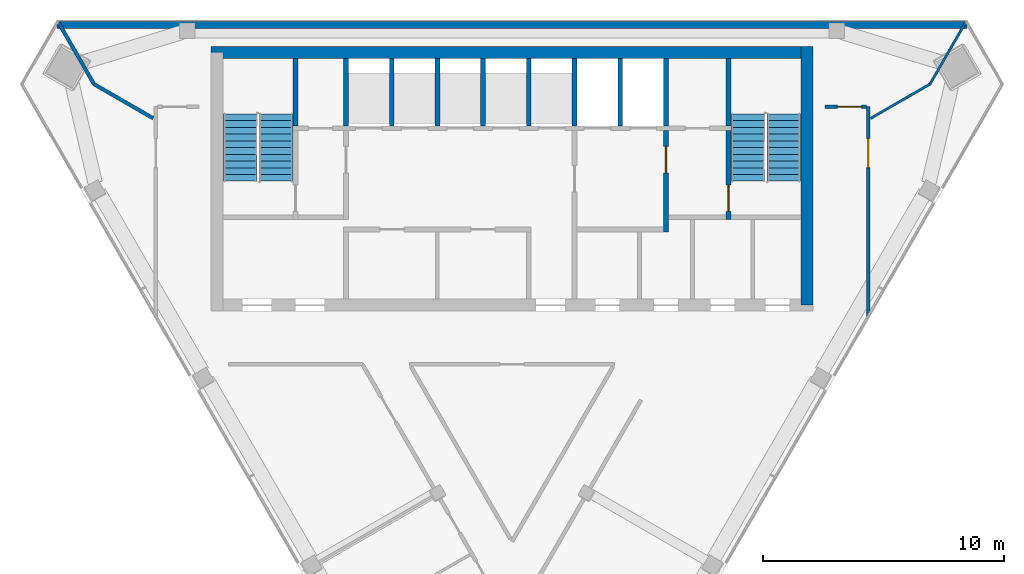
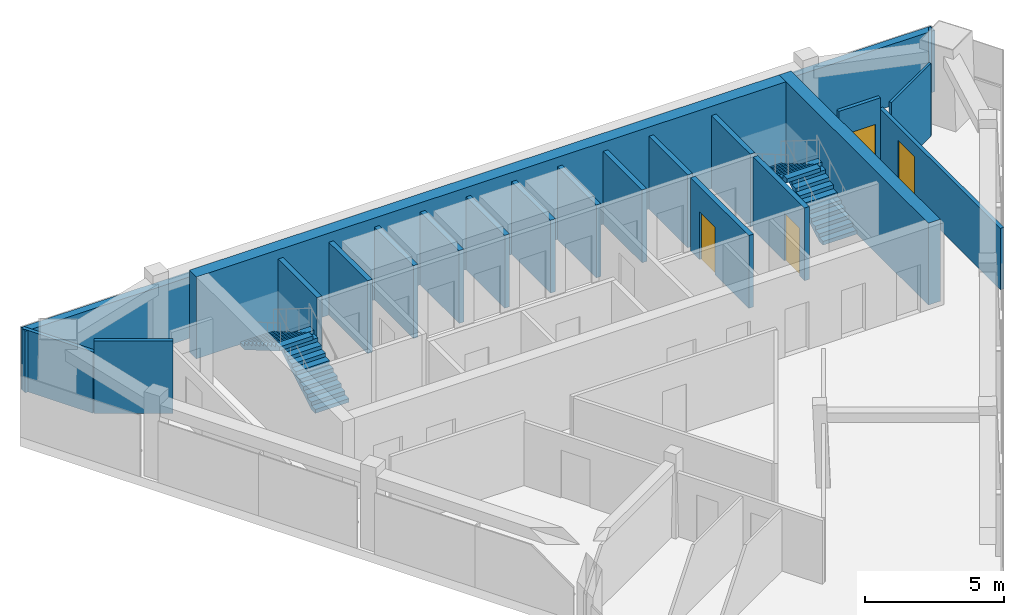
# One storey, part 7 of 9: 21 walls, 4 doors, 4 stair flights, 4 openings, 2 elements without a shape of their own.
"""IFC4 building model written with IfcOpenShell, lengths in metres."""

from ifc_helpers import new_model, si_unit, direction, frame, frame_2d, origin, place, context, subcontext, project, spatial, polyline, rectangle, outline, extrude, material, layer, layer_set, type_object, element, fill, aggregate, save


model = new_model("IFC4")

# Units and contexts
model_context = context("Model", 3, precision=1e-05, world=origin(), true_north=direction((0.0, 1.0)))
body_context = subcontext(model_context, "Body", "Model", "MODEL_VIEW")
ifc_project = project(units=[si_unit("LENGTHUNIT", "METRE"), si_unit("AREAUNIT", "SQUARE_METRE"), si_unit("VOLUMEUNIT", "CUBIC_METRE"), si_unit("PLANEANGLEUNIT", "RADIAN"), si_unit("MASSUNIT", "GRAM", prefix="KILO")], contexts=[model_context])

# Site, building, storey
site_placement = place(None, origin())
site = spatial("IfcSite", under=ifc_project, at=site_placement, CompositionType="ELEMENT")
building_placement = place(site_placement, origin())
building = spatial("IfcBuilding", under=site, at=building_placement, Name="Altiplano Prism Tower", CompositionType="ELEMENT")
storey_placement = place(building_placement, frame((0.0, 0.0, 350.800048828125)))
storey = spatial("IfcBuildingStorey", under=building, at=storey_placement, Name="L91", CompositionType="ELEMENT", Elevation=350.800048828125)

# Walls
ifc_material_1 = material(Name="Concrete C60/75", Category="concrete")
ifc_layer_1 = layer(ifc_material_1, 0.5)
ifc_layer_set_1 = layer_set([ifc_layer_1], Name="Concrete C60/75")
wall_type_1 = type_object("IfcWallType", Name="Core wall 500", PredefinedType="SHEAR", material=ifc_layer_set_1)
wall_1_placement = place(storey_placement, frame((97.25, 93.14990234375, 0.0), z_axis=(0.0, 0.0, 1.0), x_axis=(0.0, 1.0, 0.0)))
element("IfcWall", 1, at=wall_1_placement, inside=storey, type_object=wall_type_1, Name="Core wall E L91", PredefinedType="SHEAR", context=body_context, shape_type="SweptSolid", body=[
    extrude(rectangle(XDim=10.75, YDim=0.5, at=frame_2d((5.375, 0.0))), origin(), (0.0, 0.0, 1.0), 3.599853515625),
])
wall_2_placement = place(storey_placement, frame((97.25, 103.64990234375, 0.0), z_axis=(0.0, 0.0, 1.0), x_axis=(-1.0, 0.0, 0.0)))
element("IfcWall", 2, at=wall_2_placement, inside=storey, type_object=wall_type_1, Name="Core wall N L91", PredefinedType="SHEAR", context=body_context, shape_type="SweptSolid", body=[
    extrude(rectangle(XDim=24.75, YDim=0.5, at=frame_2d((12.375, 0.0))), origin(), (0.0, 0.0, 1.0), 3.599853515625),
])
ifc_material_2 = material(Name="Plasterboard on steel stud", Category="steel")
ifc_layer_2 = layer(ifc_material_2, 0.10009765625)
ifc_layer_set_2 = layer_set([ifc_layer_2], Name="Plasterboard on steel stud")
wall_type_2 = type_object("IfcWallType", Name="Partition 100 wet", PredefinedType="PARTITIONING", material=ifc_layer_set_2)
wall_3_placement = place(storey_placement, frame((103.84912109375, 104.89990234375, 0.0), z_axis=(0.0, 0.0, 1.0), x_axis=(-0.499996007168, -0.866027709035, 0.0)))
element("IfcWall", 3, at=wall_3_placement, inside=storey, type_object=wall_type_2, Name="Partition P03 L91 016", PredefinedType="PARTITIONING", context=body_context, shape_type="SweptSolid", body=[
    extrude(rectangle(XDim=2.96142578125, YDim=0.10009765625, at=frame_2d((1.480712890625, 0.0))), origin(), (0.0, 0.0, 1.0), 2.699951171875),
])
wall_4_placement = place(storey_placement, frame((102.368408203125, 102.335205078125, 0.0), z_axis=(0.0, 0.0, 1.0), x_axis=(-0.866041498374, -0.499972122318, 0.0)))
element("IfcWall", 4, at=wall_4_placement, inside=storey, type_object=wall_type_2, Name="Partition P03 L91 017", PredefinedType="PARTITIONING", context=body_context, shape_type="SweptSolid", body=[
    extrude(rectangle(XDim=2.849853515625, YDim=0.10009765625, at=frame_2d((1.4248046875, 0.0))), origin(), (0.0, 0.0, 1.0), 3.199951171875),
])

# Wall, opening, door
ifc_layer_3 = layer(ifc_material_2, 0.14990234375)
ifc_layer_set_3 = layer_set([ifc_layer_3], Name="Plasterboard on steel stud")
wall_type_3 = type_object("IfcWallType", Name="Partition 150 corridor", PredefinedType="PARTITIONING", material=ifc_layer_set_3)
wall_5_placement = place(storey_placement, frame((99.800048828125, 92.685302734375, 0.0), z_axis=(0.0, 0.0, 1.0), x_axis=(2.8011989e-05, 0.999999999608, 0.0)))
wall_5 = element("IfcWall", 5, at=wall_5_placement, inside=storey, type_object=wall_type_3, Name="Partition P06 L91 005", PredefinedType="PARTITIONING", context=body_context, shape_type="SweptSolid", body=[
    extrude(rectangle(XDim=8.715576171875, YDim=0.14990234375, at=frame_2d((4.35791015625, 0.0))), origin(), (0.0, 0.0, 1.0), 2.699951171875),
])
opening_1_placement = place(wall_5_placement, frame((6.18505859375, 0.0, 0.0)))
opening_1 = element("IfcOpeningElement", 6, at=opening_1_placement, cuts=wall_5, Name="Opening D2536", PredefinedType="OPENING", context=body_context, shape_type="SweptSolid", body=[
    extrude(rectangle(XDim=1.199951171875, YDim=2.10009765625, at=frame_2d((0.60009765625, 1.050048828125))), frame((0.0, 0.08544921875, 0.0), z_axis=(0.0, -1.0, 0.0), x_axis=(1.0, 0.0, 0.0)), (0.0, 0.0, 1.0), 0.1708984375),
])
ifc_material_3 = material(Name="Timber", Category="wood")
door_type_1 = type_object("IfcDoorType", Name="Shared room door 1200 x 2100", OperationType="NOTDEFINED", PredefinedType="NOTDEFINED", material=ifc_material_3)
door_1_placement = place(opening_1_placement, origin())
door_1 = element("IfcDoor", 7, at=door_1_placement, inside=storey, type_object=door_type_1, Name="Door D2536", OperationType="SINGLE_SWING_LEFT", OverallHeight=2.10009765625, OverallWidth=1.199951171875, PredefinedType="NOTDEFINED", context=body_context, shape_type="SweptSolid", body=[
    extrude(rectangle(XDim=1.199951171875, YDim=2.10009765625, at=frame_2d((0.60009765625, 1.050048828125))), frame((0.0, 0.02490234375, 0.0), z_axis=(0.0, -1.0, 0.0), x_axis=(1.0, 0.0, 0.0)), (0.0, 0.0, 1.0), 0.050048828125),
])
fill(opening_1, door_1)

wall_6_placement = place(storey_placement, frame((99.725341796875, 101.40087890625, 0.0), z_axis=(0.0, 0.0, 1.0), x_axis=(-1.0, 0.0, 0.0)))
wall_6 = element("IfcWall", 8, at=wall_6_placement, inside=storey, type_object=wall_type_3, Name="Partition P06 L91 009", PredefinedType="PARTITIONING", context=body_context, shape_type="SweptSolid", body=[
    extrude(rectangle(XDim=1.725341796875, YDim=0.14990234375, at=frame_2d((0.86279296875, 0.0))), origin(), (0.0, 0.0, 1.0), 3.199951171875),
])
opening_2_placement = place(wall_6_placement, frame((0.199951171875, 0.0, 0.0)))
opening_2 = element("IfcOpeningElement", 9, at=opening_2_placement, cuts=wall_6, Name="Opening D2538", PredefinedType="OPENING", context=body_context, shape_type="SweptSolid", body=[
    extrude(rectangle(XDim=1.0, YDim=2.10009765625, at=frame_2d((0.5, 1.050048828125))), frame((0.0, 0.08544921875, 0.0), z_axis=(0.0, -1.0, 0.0), x_axis=(1.0, 0.0, 0.0)), (0.0, 0.0, 1.0), 0.1708984375),
])
door_type_2 = type_object("IfcDoorType", Name="Room door 1000 x 2100", OperationType="NOTDEFINED", PredefinedType="NOTDEFINED", material=ifc_material_3)
door_2_placement = place(opening_2_placement, origin())
door_2 = element("IfcDoor", 10, at=door_2_placement, inside=storey, type_object=door_type_2, Name="Door D2538", OperationType="SINGLE_SWING_LEFT", OverallHeight=2.10009765625, OverallWidth=1.0, PredefinedType="NOTDEFINED", context=body_context, shape_type="SweptSolid", body=[
    extrude(rectangle(XDim=1.0, YDim=2.10009765625, at=frame_2d((0.5, 1.050048828125))), frame((0.0, 0.02490234375, 0.0), z_axis=(0.0, -1.0, 0.0), x_axis=(1.0, 0.0, 0.0)), (0.0, 0.0, 1.0), 0.050048828125),
])
fill(opening_2, door_2)

# Walls
ifc_layer_4 = layer(ifc_material_2, 0.14990234375)
ifc_layer_set_4 = layer_set([ifc_layer_4], Name="Plasterboard on steel stud")
wall_type_4 = type_object("IfcWallType", Name="Partition 150 party", PredefinedType="PARTITIONING", material=ifc_layer_set_4)
wall_7_placement = place(storey_placement, frame((70.087158203125, 100.91748046875, 0.0), z_axis=(0.0, 0.0, 1.0), x_axis=(-0.866024993943, 0.500000709865, 0.0)))
element("IfcWall", 11, at=wall_7_placement, inside=storey, type_object=wall_type_4, Name="Partition P01 L91 011", PredefinedType="PARTITIONING", context=body_context, shape_type="SweptSolid", body=[
    extrude(rectangle(XDim=2.83544921875, YDim=0.14990234375, at=frame_2d((1.417724609375, 0.0))), origin(), (0.0, 0.0, 1.0), 3.199951171875),
])
wall_8_placement = place(storey_placement, frame((67.631591796875, 102.335205078125, 0.0), z_axis=(0.0, 0.0, 1.0), x_axis=(-0.499996007168, 0.866027709035, 0.0)))
element("IfcWall", 12, at=wall_8_placement, inside=storey, type_object=wall_type_4, Name="Partition P01 L91 012", PredefinedType="PARTITIONING", context=body_context, shape_type="SweptSolid", body=[
    extrude(rectangle(XDim=2.96142578125, YDim=0.14990234375, at=frame_2d((1.480712890625, 0.0))), origin(), (0.0, 0.0, 1.0), 2.699951171875),
])
ifc_layer_5 = layer(ifc_material_1, 0.199951171875)
ifc_layer_set_5 = layer_set([ifc_layer_5], Name="Concrete C60/75")
wall_type_5 = type_object("IfcWallType", Name="Shaft wall 200", PredefinedType="SOLIDWALL", material=ifc_layer_set_5)
for number, where, z_axis, x_axis, name in (
    (13, (78.10009765625, 100.60009765625, 0.0), (0.0, 0.0, 1.0), (0.0, 1.0, 0.0), "Shaft wall L91"),
    (14, (80.0, 100.60009765625, 0.0), (0.0, 0.0, 1.0), (0.0, 1.0, 0.0), "Shaft wall L91"),
    (15, (81.89990234375, 100.60009765625, 0.0), (0.0, 0.0, 1.0), (0.0, 1.0, 0.0), "Shaft wall L91"),
    (16, (83.800048828125, 100.60009765625, 0.0), (0.0, 0.0, 1.0), (0.0, 1.0, 0.0), "Shaft wall L91"),
    (17, (85.699951171875, 100.60009765625, 0.0), (0.0, 0.0, 1.0), (0.0, 1.0, 0.0), "Shaft wall L91"),
    (18, (87.60009765625, 100.60009765625, 0.0), (0.0, 0.0, 1.0), (0.0, 1.0, 0.0), "Shaft wall L91"),
    (19, (89.5, 100.60009765625, 0.0), (0.0, 0.0, 1.0), (0.0, 1.0, 0.0), "Shaft wall L91"),
    (20, (91.39990234375, 100.60009765625, 0.0), (0.0, 0.0, 1.0), (0.0, 1.0, 0.0), "Shaft wall L91"),
):
    element("IfcWall", number, at=place(storey_placement, frame(where, z_axis=z_axis, x_axis=x_axis)), inside=storey, type_object=wall_type_5, Name=name, PredefinedType="SOLIDWALL", context=body_context, shape_type="SweptSolid", body=[
        extrude(rectangle(XDim=2.7998046875, YDim=0.199951171875, at=frame_2d((1.39990234375, 0.0))), origin(), (0.0, 0.0, 1.0), 3.199951171875),
    ])

# Wall, opening, door
ifc_layer_6 = layer(ifc_material_1, 0.199951171875)
ifc_layer_set_6 = layer_set([ifc_layer_6], Name="Concrete C60/75")
wall_type_6 = type_object("IfcWallType", Name="Stair wall 200", PredefinedType="SOLIDWALL", material=ifc_layer_set_6)
wall_9_placement = place(storey_placement, frame((94.0, 96.699951171875, 0.0), z_axis=(0.0, 0.0, 1.0), x_axis=(0.0, 1.0, 0.0)))
wall_9 = element("IfcWall", 21, at=wall_9_placement, inside=storey, type_object=wall_type_6, Name="Stair wall L91", PredefinedType="SOLIDWALL", context=body_context, shape_type="SweptSolid", body=[
    extrude(rectangle(XDim=3.699951171875, YDim=0.199951171875, at=frame_2d((1.85009765625, 0.0))), origin(), (0.0, 0.0, 1.0), 3.199951171875),
])
opening_3_placement = place(wall_9_placement, frame((0.35009765625, 0.0, 0.0)))
opening_3 = element("IfcOpeningElement", 22, at=opening_3_placement, cuts=wall_9, Name="Opening D3878", PredefinedType="OPENING", context=body_context, shape_type="SweptSolid", body=[
    extrude(rectangle(XDim=1.10009765625, YDim=2.10009765625, at=frame_2d((0.550048828125, 1.050048828125))), frame((0.0, 0.1103515625, 0.0), z_axis=(0.0, -1.0, 0.0), x_axis=(1.0, 0.0, 0.0)), (0.0, 0.0, 1.0), 0.220947265625),
])
ifc_material_4 = material(Name="Fire-rated steel door", Category="steel")
door_type_3 = type_object("IfcDoorType", Name="Stair fire door 1100 x 2100", OperationType="NOTDEFINED", PredefinedType="NOTDEFINED", material=ifc_material_4)
door_3_placement = place(opening_3_placement, origin())
door_3 = element("IfcDoor", 23, at=door_3_placement, inside=storey, type_object=door_type_3, Name="Stair fire door D3878", OperationType="SINGLE_SWING_LEFT", OverallHeight=2.10009765625, OverallWidth=1.10009765625, PredefinedType="NOTDEFINED", context=body_context, shape_type="SweptSolid", body=[
    extrude(rectangle(XDim=1.10009765625, YDim=2.10009765625, at=frame_2d((0.550048828125, 1.050048828125))), frame((0.0, 0.02490234375, 0.0), z_axis=(0.0, -1.0, 0.0), x_axis=(1.0, 0.0, 0.0)), (0.0, 0.0, 1.0), 0.050048828125),
])
fill(opening_3, door_3)

# Walls
for number, where, z_axis, x_axis, name in (
    (24, (76.0, 100.60009765625, 0.0), (0.0, 0.0, 1.0), (0.0, 1.0, 0.0), "Stair wall L91"),
    (25, (94.0, 100.60009765625, 0.0), (0.0, 0.0, 1.0), (0.0, 1.0, 0.0), "Stair wall L91"),
):
    element("IfcWall", number, at=place(storey_placement, frame(where, z_axis=z_axis, x_axis=x_axis)), inside=storey, type_object=wall_type_6, Name=name, PredefinedType="SOLIDWALL", context=body_context, shape_type="SweptSolid", body=[
        extrude(rectangle(XDim=2.7998046875, YDim=0.199951171875, at=frame_2d((1.39990234375, 0.0))), origin(), (0.0, 0.0, 1.0), 3.199951171875),
    ])
ifc_material_5 = material(Name="Concrete C40", Category="concrete")
ifc_layer_7 = layer(ifc_material_5, 0.300048828125)
ifc_layer_set_7 = layer_set([ifc_layer_7], Name="Concrete C40")
wall_type_7 = type_object("IfcWallType", Name="Stone-clad external wall 300", PredefinedType="SOLIDWALL", material=ifc_layer_set_7)
wall_10_placement = place(storey_placement, frame((66.09326171875, 104.7900390625, 0.0), z_axis=(0.0, 0.0, 1.0), x_axis=(1.0, 0.0, 0.0)))
element("IfcWall", 26, at=wall_10_placement, inside=storey, type_object=wall_type_7, Name="External wall north face L91", PredefinedType="SOLIDWALL", context=body_context, shape_type="SweptSolid", body=[
    extrude(rectangle(XDim=37.8134765625, YDim=0.300048828125, at=frame_2d((18.90673828125, 0.0))), origin(), (0.0, 0.0, 1.0), 2.699951171875),
])

# Wall, opening, door
ifc_layer_8 = layer(ifc_material_1, 0.199951171875)
ifc_layer_set_8 = layer_set([ifc_layer_8], Name="Concrete C60/75")
wall_type_8 = type_object("IfcWallType", Name="Vestibule wall 200", PredefinedType="PARTITIONING", material=ifc_layer_set_8)
wall_11_placement = place(storey_placement, frame((91.39990234375, 96.199951171875, 0.0), z_axis=(0.0, 0.0, 1.0), x_axis=(0.0, 1.0, 0.0)))
wall_11 = element("IfcWall", 27, at=wall_11_placement, inside=storey, type_object=wall_type_8, Name="Vestibule wall L91", PredefinedType="PARTITIONING", context=body_context, shape_type="SweptSolid", body=[
    extrude(rectangle(XDim=4.199951171875, YDim=0.199951171875, at=frame_2d((2.10009765625, 0.0))), origin(), (0.0, 0.0, 1.0), 3.199951171875),
])
opening_4_placement = place(wall_11_placement, frame((2.449951171875, 0.0, 0.0)))
opening_4 = element("IfcOpeningElement", 28, at=opening_4_placement, cuts=wall_11, Name="Opening D3881", PredefinedType="OPENING", context=body_context, shape_type="SweptSolid", body=[
    extrude(rectangle(XDim=1.10009765625, YDim=2.10009765625, at=frame_2d((0.550048828125, 1.050048828125))), frame((0.0, 0.1103515625, 0.0), z_axis=(0.0, -1.0, 0.0), x_axis=(1.0, 0.0, 0.0)), (0.0, 0.0, 1.0), 0.220947265625),
])
door_type_4 = type_object("IfcDoorType", Name="Vestibule fire door 1100 x 2100", OperationType="NOTDEFINED", PredefinedType="NOTDEFINED", material=ifc_material_4)
door_4_placement = place(opening_4_placement, origin())
door_4 = element("IfcDoor", 29, at=door_4_placement, inside=storey, type_object=door_type_4, Name="Vestibule fire door D3881", OperationType="SINGLE_SWING_LEFT", OverallHeight=2.10009765625, OverallWidth=1.10009765625, PredefinedType="NOTDEFINED", context=body_context, shape_type="SweptSolid", body=[
    extrude(rectangle(XDim=1.10009765625, YDim=2.10009765625, at=frame_2d((0.550048828125, 1.050048828125))), frame((0.0, 0.02490234375, 0.0), z_axis=(0.0, -1.0, 0.0), x_axis=(1.0, 0.0, 0.0)), (0.0, 0.0, 1.0), 0.050048828125),
])
fill(opening_4, door_4)

# Stair, stair flights
ifc_material_6 = material(Name="Concrete C40/50", Category="concrete")
stair_type = type_object("IfcStairType", Name="Exit stair 1400", PredefinedType="HALF_TURN_STAIR", material=ifc_material_6)
stair_1_placement = place(storey_placement, origin())
stair_1 = element("IfcStair", 30, at=stair_1_placement, inside=storey, type_object=stair_type, Name="L91 Exit Stair 1", PredefinedType="HALF_TURN_STAIR")
stair_flight_type = type_object("IfcStairFlightType", Name="Stair flight concrete 150", PredefinedType="STRAIGHT", material=ifc_material_6)
stair_flight_1_placement = place(storey_placement, frame((75.199951171875, 98.300048828125, 0.0), z_axis=(0.0, 0.0, 1.0), x_axis=(0.0, 1.0, 0.0)))
stair_flight_1 = element("IfcStairFlight", 31, at=stair_flight_1_placement, type_object=stair_flight_type, Name="ST1 flight 1", NumberOfRisers=11, NumberOfTreads=10, PredefinedType="STRAIGHT", RiserHeight=0.163636364, TreadLength=0.28, context=body_context, shape_type="SweptSolid", body=[
    extrude(outline(polyline([(0.0, 0.0), (0.0, 0.16357421875), (0.280029296875, 0.16357421875), (0.280029296875, 0.327392578125), (0.56005859375, 0.327392578125), (0.56005859375, 0.490966796875), (0.840087890625, 0.490966796875), (0.840087890625, 0.654541015625), (1.1201171875, 0.654541015625), (1.1201171875, 0.818115234375), (1.39990234375, 0.818115234375), (1.39990234375, 0.98193359375), (1.679931640625, 0.98193359375), (1.679931640625, 1.1455078125), (1.9599609375, 1.1455078125), (1.9599609375, 1.30908203125), (2.239990234375, 1.30908203125), (2.239990234375, 1.47265625), (2.52001953125, 1.47265625), (2.52001953125, 1.636474609375), (2.800048828125, 1.636474609375), (2.800048828125, 1.800048828125), (2.800048828125, 1.462646484375), (0.297119140625, 0.0), (0.0, 0.0)])), frame((0.0, 0.699951171875, 0.0), z_axis=(0.0, -1.0, 0.0), x_axis=(1.0, 0.0, 0.0)), (0.0, 0.0, 1.0), 1.39990234375),
])
stair_flight_2_placement = place(storey_placement, frame((73.699951171875, 101.10009765625, 1.800048828125), z_axis=(0.0, 0.0, 1.0), x_axis=(0.0, -1.0, 0.0)))
stair_flight_2 = element("IfcStairFlight", 32, at=stair_flight_2_placement, type_object=stair_flight_type, Name="ST1 flight 2", NumberOfRisers=11, NumberOfTreads=10, PredefinedType="STRAIGHT", RiserHeight=0.163636364, TreadLength=0.28, context=body_context, shape_type="SweptSolid", body=[
    extrude(outline(polyline([(0.0, 0.0), (0.0, 0.16357421875), (0.280029296875, 0.16357421875), (0.280029296875, 0.327392578125), (0.56005859375, 0.327392578125), (0.56005859375, 0.490966796875), (0.840087890625, 0.490966796875), (0.840087890625, 0.654541015625), (1.1201171875, 0.654541015625), (1.1201171875, 0.818115234375), (1.39990234375, 0.818115234375), (1.39990234375, 0.98193359375), (1.679931640625, 0.98193359375), (1.679931640625, 1.1455078125), (1.9599609375, 1.1455078125), (1.9599609375, 1.30908203125), (2.239990234375, 1.30908203125), (2.239990234375, 1.47265625), (2.52001953125, 1.47265625), (2.52001953125, 1.636474609375), (2.800048828125, 1.636474609375), (2.800048828125, 1.800048828125), (2.800048828125, 1.462646484375), (0.297119140625, 0.0), (0.0, 0.0)])), frame((0.0, 0.699951171875, 0.0), z_axis=(0.0, -1.0, 0.0), x_axis=(1.0, 0.0, 0.0)), (0.0, 0.0, 1.0), 1.39990234375),
])
aggregate(stair_1, [stair_flight_1, stair_flight_2])

stair_2_placement = place(storey_placement, origin())
stair_2 = element("IfcStair", 33, at=stair_2_placement, inside=storey, type_object=stair_type, Name="L91 Exit Stair 2", PredefinedType="HALF_TURN_STAIR")
stair_flight_3_placement = place(storey_placement, frame((96.300048828125, 98.300048828125, 0.0), z_axis=(0.0, 0.0, 1.0), x_axis=(0.0, 1.0, 0.0)))
stair_flight_3 = element("IfcStairFlight", 34, at=stair_flight_3_placement, type_object=stair_flight_type, Name="ST2 flight 1", NumberOfRisers=11, NumberOfTreads=10, PredefinedType="STRAIGHT", RiserHeight=0.163636364, TreadLength=0.28, context=body_context, shape_type="SweptSolid", body=[
    extrude(outline(polyline([(0.0, 0.0), (0.0, 0.16357421875), (0.280029296875, 0.16357421875), (0.280029296875, 0.327392578125), (0.56005859375, 0.327392578125), (0.56005859375, 0.490966796875), (0.840087890625, 0.490966796875), (0.840087890625, 0.654541015625), (1.1201171875, 0.654541015625), (1.1201171875, 0.818115234375), (1.39990234375, 0.818115234375), (1.39990234375, 0.98193359375), (1.679931640625, 0.98193359375), (1.679931640625, 1.1455078125), (1.9599609375, 1.1455078125), (1.9599609375, 1.30908203125), (2.239990234375, 1.30908203125), (2.239990234375, 1.47265625), (2.52001953125, 1.47265625), (2.52001953125, 1.636474609375), (2.800048828125, 1.636474609375), (2.800048828125, 1.800048828125), (2.800048828125, 1.462646484375), (0.297119140625, 0.0), (0.0, 0.0)])), frame((0.0, 0.699951171875, 0.0), z_axis=(0.0, -1.0, 0.0), x_axis=(1.0, 0.0, 0.0)), (0.0, 0.0, 1.0), 1.39990234375),
])
stair_flight_4_placement = place(storey_placement, frame((94.800048828125, 101.10009765625, 1.800048828125), z_axis=(0.0, 0.0, 1.0), x_axis=(0.0, -1.0, 0.0)))
stair_flight_4 = element("IfcStairFlight", 35, at=stair_flight_4_placement, type_object=stair_flight_type, Name="ST2 flight 2", NumberOfRisers=11, NumberOfTreads=10, PredefinedType="STRAIGHT", RiserHeight=0.163636364, TreadLength=0.28, context=body_context, shape_type="SweptSolid", body=[
    extrude(outline(polyline([(0.0, 0.0), (0.0, 0.16357421875), (0.280029296875, 0.16357421875), (0.280029296875, 0.327392578125), (0.56005859375, 0.327392578125), (0.56005859375, 0.490966796875), (0.840087890625, 0.490966796875), (0.840087890625, 0.654541015625), (1.1201171875, 0.654541015625), (1.1201171875, 0.818115234375), (1.39990234375, 0.818115234375), (1.39990234375, 0.98193359375), (1.679931640625, 0.98193359375), (1.679931640625, 1.1455078125), (1.9599609375, 1.1455078125), (1.9599609375, 1.30908203125), (2.239990234375, 1.30908203125), (2.239990234375, 1.47265625), (2.52001953125, 1.47265625), (2.52001953125, 1.636474609375), (2.800048828125, 1.636474609375), (2.800048828125, 1.800048828125), (2.800048828125, 1.462646484375), (0.297119140625, 0.0), (0.0, 0.0)])), frame((0.0, 0.699951171875, 0.0), z_axis=(0.0, -1.0, 0.0), x_axis=(1.0, 0.0, 0.0)), (0.0, 0.0, 1.0), 1.39990234375),
])
aggregate(stair_2, [stair_flight_3, stair_flight_4])

save(model, "model.ifc")
